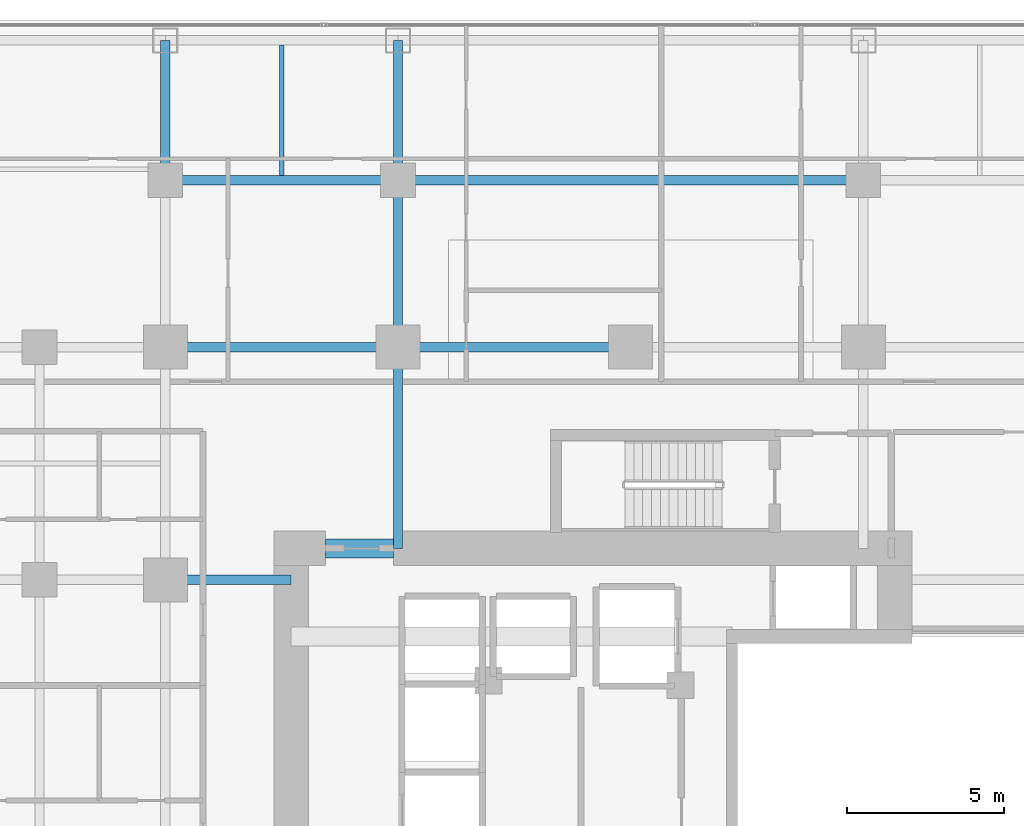
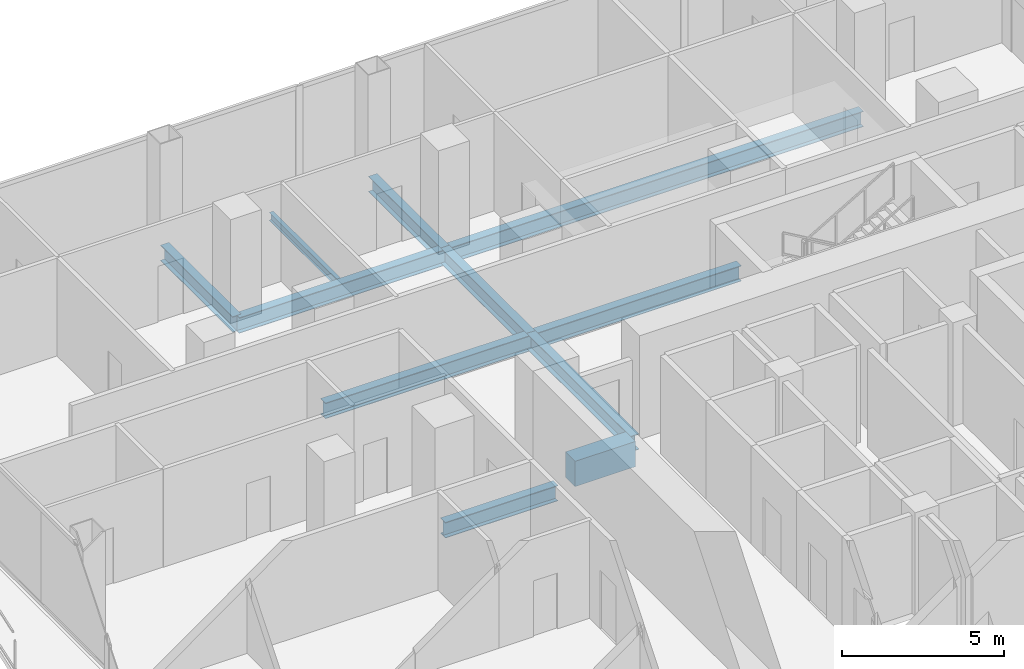
# One storey, part 14 of 29: 11 beams.
"""IFC4 building model written with IfcOpenShell, lengths in metres."""

import ifcopenshell
import ifcopenshell.guid

model = None  # the IFC model being written
_history = None  # IfcOwnerHistory: only IFC2X3 demands one
_inside = {}  # id of a spatial element -> (the spatial element, [elements in it])
_under = {}  # id of a project, library or spatial element -> (it, [spatial elements below it])
_declared = {}  # id of a project -> (the project, [libraries it declares])
_typed = {}  # id of a type object -> (the type object, [elements of that type])
_made_of = {}  # id of a material, layer set ... -> (it, [elements and type objects made of it])


def new_model(schema):
    """Start an empty IFC model of exactly this schema.

    Asked for "IFC4X3", IfcOpenShell would pick the latest addendum, in which some entities
    have other attributes; the version numbers below select the first issue.
    IFC2X3 requires an IfcOwnerHistory on every rooted entity: one is made here for all.
    """
    global model, _history
    if schema == "IFC4X3":
        model = ifcopenshell.file(schema_version=(4, 3, 0, 0))
    else:
        model = ifcopenshell.file(schema=schema)
    _inside.clear()
    _under.clear()
    _declared.clear()
    _typed.clear()
    _made_of.clear()
    _history = None
    if model.schema == "IFC2X3":
        org = make("IfcOrganization", Name="unknown")
        user = make(
            "IfcPersonAndOrganization",
            ThePerson=make("IfcPerson", FamilyName="unknown"),
            TheOrganization=org,
        )
        app = make(
            "IfcApplication",
            ApplicationDeveloper=org,
            Version="unknown",
            ApplicationFullName="unknown",
            ApplicationIdentifier="unknown",
        )
        _history = make(
            "IfcOwnerHistory",
            OwningUser=user,
            OwningApplication=app,
            ChangeAction="ADDED",
            CreationDate=0,
        )
    return model


def make(cls, **values):
    """One entity of the class cls with the attributes given. An attribute that is None is left unset."""
    return model.create_entity(
        cls, **{name: value for name, value in values.items() if value is not None}
    )


def rooted(cls, **values):
    """An entity with a GlobalId (a new one), such as an element, a storey or a relation."""
    return make(cls, GlobalId=ifcopenshell.guid.new(), OwnerHistory=_history, **values)


def si_unit(unit_type, name, prefix=None):
    """IfcSIUnit, for example si_unit("LENGTHUNIT", "METRE", prefix="MILLI")."""
    return make("IfcSIUnit", UnitType=unit_type, Prefix=prefix, Name=name)


def assignment(units):
    """IfcUnitAssignment: the units of a project."""
    return None if units is None else make("IfcUnitAssignment", Units=units)


def point(xyz):
    """IfcCartesianPoint."""
    return None if xyz is None else make("IfcCartesianPoint", Coordinates=xyz)


def direction(xyz):
    """IfcDirection."""
    return None if xyz is None else make("IfcDirection", DirectionRatios=xyz)


def frame(location, z_axis=None, x_axis=None):
    """IfcAxis2Placement3D, a coordinate frame: its origin and axes. An axis left out is left unset."""
    return make(
        "IfcAxis2Placement3D",
        Location=point(location),
        Axis=direction(z_axis),
        RefDirection=direction(x_axis),
    )


def frame_2d(location, x_axis=None):
    """IfcAxis2Placement2D, a coordinate frame in the plane: its origin and x axis."""
    return make(
        "IfcAxis2Placement2D", Location=point(location), RefDirection=direction(x_axis)
    )


def origin():
    """The frame at (0, 0, 0) with its axes left unset."""
    return frame((0.0, 0.0, 0.0))


def origin_2d():
    """The frame at (0, 0) in the plane with its x axis left unset."""
    return frame_2d((0.0, 0.0))


def place(relative_to, where):
    """IfcLocalPlacement: puts the frame where relative to a parent placement (None: the world)."""
    return make(
        "IfcLocalPlacement", PlacementRelTo=relative_to, RelativePlacement=where
    )


def context(
    kind, dimensions, precision=None, world=None, true_north=None, identifier=None
):
    """IfcGeometricRepresentationContext, for example the 3D "Model" context."""
    return make(
        "IfcGeometricRepresentationContext",
        ContextIdentifier=identifier,
        ContextType=kind,
        CoordinateSpaceDimension=dimensions,
        Precision=precision,
        WorldCoordinateSystem=world,
        TrueNorth=true_north,
    )


def subcontext(parent, identifier, kind, view, scale=None):
    """IfcGeometricRepresentationSubContext, for example "Body" below "Model"."""
    return make(
        "IfcGeometricRepresentationSubContext",
        ContextIdentifier=identifier,
        ContextType=kind,
        ParentContext=parent,
        TargetScale=scale,
        TargetView=view,
    )


def project(units=None, contexts=None):
    """IfcProject with its units and contexts."""
    return rooted(
        "IfcProject",
        Name="project",
        RepresentationContexts=contexts,
        UnitsInContext=assignment(units),
    )


def spatial(cls, under=None, at=None, **own):
    """A site, building, storey or space (cls), placed at a placement, below another one or the project."""
    s = rooted(cls, ObjectPlacement=at, **own)
    if under is not None:
        _under.setdefault(under.id(), (under, []))[1].append(s)
    return s


def profile(cls, at=None, kind="AREA", **sizes):
    """A parametric profile (cls). Its sizes go by their IFC names, for example OverallWidth=200.0."""
    return make(cls, ProfileType=kind, Position=at, **sizes)


def rectangle(**sizes):
    """IfcRectangleProfileDef."""
    return profile("IfcRectangleProfileDef", **sizes)


def i_section(**sizes):
    """IfcIShapeProfileDef."""
    return profile("IfcIShapeProfileDef", **sizes)


def extrude(swept, where, along, depth):
    """IfcExtrudedAreaSolid: the profile swept, set in the frame where, extruded along a direction by depth."""
    return make(
        "IfcExtrudedAreaSolid",
        SweptArea=swept,
        Position=where,
        ExtrudedDirection=direction(along),
        Depth=depth,
    )


def shape(context_of_items, identifier, shape_type, items):
    """IfcShapeRepresentation: the items that make up one representation, for example the "Body"."""
    return make(
        "IfcShapeRepresentation",
        ContextOfItems=context_of_items,
        RepresentationIdentifier=identifier,
        RepresentationType=shape_type,
        Items=items,
    )


def material(Name=None, Category=None):
    """IfcMaterial."""
    return make("IfcMaterial", Name=Name, Category=Category)


def material_profile(
    of_material, cross_section, Name=None, Category=None, Priority=None
):
    """IfcMaterialProfile: a cross section and its material."""
    return make(
        "IfcMaterialProfile",
        Name=Name,
        Material=of_material,
        Profile=cross_section,
        Priority=Priority,
        Category=Category,
    )


def profile_set(profiles, Name=None, composite=None):
    """IfcMaterialProfileSet."""
    return make(
        "IfcMaterialProfileSet",
        Name=Name,
        MaterialProfiles=profiles,
        CompositeProfile=composite,
    )


def made_of(thing, what):
    """Note that an element or type object is made of a material, layer set ...; save() writes the relation."""
    if what is not None:
        _made_of.setdefault(what.id(), (what, []))[1].append(thing)
    return thing


def type_object(cls, material=None, **own):
    """A type object (cls), such as IfcWallType, which elements share."""
    return made_of(rooted(cls, **own), material)


def element(
    cls,
    number,
    at=None,
    inside=None,
    cuts=None,
    type_object=None,
    material=None,
    context=None,
    identifier="Body",
    shape_type=None,
    held_by="IfcProductDefinitionShape",
    body=None,
    shapes=None,
    **own,
):
    """One element of the class cls, such as IfcWall. Its Tag is "e" and its number.

    at: its placement. inside: the storey or other place that contains it. cuts: it is an
    opening in that element (IfcRelVoidsElement). A single representation is given by context,
    identifier, shape_type and body (its items); several are given by shapes. held_by: the class
    of the entity that holds the representations. save() writes the other relations.
    """
    e = rooted(cls, Tag="e%d" % number, ObjectPlacement=at, **own)
    if body is not None:
        shapes = [shape(context, identifier, shape_type, body)]
    if shapes is not None:
        e.Representation = make(held_by, Representations=shapes)
    if inside is not None:
        _inside.setdefault(inside.id(), (inside, []))[1].append(e)
    if cuts is not None:
        rooted(
            "IfcRelVoidsElement", RelatingBuildingElement=cuts, RelatedOpeningElement=e
        )
    if type_object is not None:
        _typed.setdefault(type_object.id(), (type_object, []))[1].append(e)
    return made_of(e, material)


def aggregate(whole, parts):
    """IfcRelAggregates: a whole, such as a stair, and the parts it consists of."""
    return rooted("IfcRelAggregates", RelatingObject=whole, RelatedObjects=parts)


def save(model, path):
    """Write the relations noted so far, then the file.

    IfcRelAggregates (storeys below a building ...), IfcRelContainedInSpatialStructure (elements
    in a storey), IfcRelDefinesByType, IfcRelAssociatesMaterial and IfcRelDeclares: one each for
    every whole, place, type object, material and project.
    """
    for whole, parts in _under.values():
        aggregate(whole, parts)
    for where, things in _inside.values():
        rooted(
            "IfcRelContainedInSpatialStructure",
            RelatedElements=things,
            RelatingStructure=where,
        )
    for kind, things in _typed.values():
        rooted("IfcRelDefinesByType", RelatedObjects=things, RelatingType=kind)
    for what, things in _made_of.values():
        rooted("IfcRelAssociatesMaterial", RelatedObjects=things, RelatingMaterial=what)
    for by, libraries in _declared.values():
        rooted("IfcRelDeclares", RelatingContext=by, RelatedDefinitions=libraries)
    model.write(path)


model = new_model("IFC4")

# Units and contexts
model_context = context("Model", 3, precision=1e-05, world=origin(), true_north=direction((0.0, 1.0)))
body_context = subcontext(model_context, "Body", "Model", "MODEL_VIEW")
ifc_project = project(units=[si_unit("LENGTHUNIT", "METRE"), si_unit("AREAUNIT", "SQUARE_METRE"), si_unit("VOLUMEUNIT", "CUBIC_METRE"), si_unit("PLANEANGLEUNIT", "RADIAN"), si_unit("MASSUNIT", "GRAM", prefix="KILO")], contexts=[model_context])

# Site, building, storey
site_placement = place(None, origin())
site = spatial("IfcSite", under=ifc_project, at=site_placement, CompositionType="ELEMENT")
building_placement = place(site_placement, origin())
building = spatial("IfcBuilding", under=site, at=building_placement, Name="Khorvyn Point Tower", CompositionType="ELEMENT")
storey_placement = place(building_placement, frame((0.0, 0.0, 61.800048828125)))
storey = spatial("IfcBuildingStorey", under=building, at=storey_placement, Name="L16", CompositionType="ELEMENT", Elevation=61.800048828125)

# Beams
ifc_material_1 = material(Name="Concrete C50/60", Category="concrete")
ifc_material_profile_1 = material_profile(ifc_material_1, rectangle(XDim=0.60009765625, YDim=0.949951171875, at=origin_2d()))
ifc_profile_set_1 = profile_set([ifc_material_profile_1], Name="Concrete C50/60 RC600x950")
beam_type_1 = type_object("IfcBeamType", Name="Concrete C50/60 Beam RC600x950", PredefinedType="BEAM", material=ifc_profile_set_1)
beam_1_placement = place(storey_placement, frame((-9.699951171875, 8.39990234375, -0.695068359375), z_axis=(1.0, 0.0, 0.0), x_axis=(0.0, 1.0, 0.0)))
element("IfcBeam", 1, at=beam_1_placement, inside=storey, type_object=beam_type_1, Name="L16 Core Northwest Portal Coupling Beam", PredefinedType="BEAM", context=body_context, shape_type="SweptSolid", body=[
    extrude(rectangle(XDim=0.60009765625, YDim=0.949951171875, at=origin_2d()), origin(), (0.0, 0.0, 1.0), 2.14990234375),
])
ifc_material_2 = material(Name="Steel S355", Category="steel")
ifc_material_profile_2 = material_profile(ifc_material_2, i_section(OverallWidth=0.300048828125, OverallDepth=0.587890625, WebThickness=0.011962890625, FlangeThickness=0.02001953125, at=origin_2d()))
ifc_profile_set_2 = profile_set([ifc_material_profile_2], Name="Steel S355 H588x300x12x20")
beam_type_2 = type_object("IfcBeamType", Name="Steel S355 Beam H588x300x12x20", PredefinedType="BEAM", material=ifc_profile_set_2)
beam_2_placement = place(storey_placement, frame((-14.800048828125, 14.800048828125, -0.51416015625), z_axis=(1.0, 0.0, 0.0), x_axis=(0.0, 1.0, 0.0)))
element("IfcBeam", 2, at=beam_2_placement, inside=storey, type_object=beam_type_2, Name="Beam", PredefinedType="BEAM", context=body_context, shape_type="SweptSolid", body=[
    extrude(i_section(OverallWidth=0.300048828125, OverallDepth=0.587890625, WebThickness=0.011962890625, FlangeThickness=0.02001953125, at=origin_2d()), origin(), (0.0, 0.0, 1.0), 7.400146484375),
])
beam_3_placement = place(storey_placement, frame((-7.39990234375, 14.800048828125, -0.51416015625), z_axis=(1.0, 0.0, 0.0), x_axis=(0.0, 1.0, 0.0)))
element("IfcBeam", 3, at=beam_3_placement, inside=storey, type_object=beam_type_2, Name="Beam", PredefinedType="BEAM", context=body_context, shape_type="SweptSolid", body=[
    extrude(i_section(OverallWidth=0.300048828125, OverallDepth=0.587890625, WebThickness=0.011962890625, FlangeThickness=0.02001953125, at=origin_2d()), origin(), (0.0, 0.0, 1.0), 7.39990234375),
])
beam_4_placement = place(storey_placement, frame((-14.800048828125, 7.39990234375, -0.51416015625), z_axis=(1.0, 0.0, 0.0), x_axis=(0.0, 1.0, 0.0)))
element("IfcBeam", 4, at=beam_4_placement, inside=storey, type_object=beam_type_2, Name="Beam", PredefinedType="BEAM", context=body_context, shape_type="SweptSolid", body=[
    extrude(i_section(OverallWidth=0.300048828125, OverallDepth=0.587890625, WebThickness=0.011962890625, FlangeThickness=0.02001953125, at=origin_2d()), origin(), (0.0, 0.0, 1.0), 4.0),
])
beam_5_placement = place(storey_placement, frame((-14.800048828125, 20.10009765625, -0.51416015625), z_axis=(1.0, 0.0, 0.0), x_axis=(0.0, 1.0, 0.0)))
element("IfcBeam", 5, at=beam_5_placement, inside=storey, type_object=beam_type_2, Name="Beam", PredefinedType="BEAM", context=body_context, shape_type="SweptSolid", body=[
    extrude(i_section(OverallWidth=0.300048828125, OverallDepth=0.587890625, WebThickness=0.011962890625, FlangeThickness=0.02001953125, at=origin_2d()), origin(), (0.0, 0.0, 1.0), 7.400146484375),
])
beam_6_placement = place(storey_placement, frame((-7.39990234375, 20.10009765625, -0.51416015625), z_axis=(1.0, 0.0, 0.0), x_axis=(0.0, 1.0, 0.0)))
element("IfcBeam", 6, at=beam_6_placement, inside=storey, type_object=beam_type_2, Name="Beam", PredefinedType="BEAM", context=body_context, shape_type="SweptSolid", body=[
    extrude(i_section(OverallWidth=0.300048828125, OverallDepth=0.587890625, WebThickness=0.011962890625, FlangeThickness=0.02001953125, at=origin_2d()), origin(), (0.0, 0.0, 1.0), 14.7998046875),
])
beam_7_placement = place(storey_placement, frame((-14.800048828125, 20.10009765625, -0.51416015625), z_axis=(0.0, 1.0, 0.0), x_axis=(-1.0, 0.0, 0.0)))
element("IfcBeam", 7, at=beam_7_placement, inside=storey, type_object=beam_type_2, Name="Beam", PredefinedType="BEAM", context=body_context, shape_type="SweptSolid", body=[
    extrude(i_section(OverallWidth=0.300048828125, OverallDepth=0.587890625, WebThickness=0.011962890625, FlangeThickness=0.02001953125, at=origin_2d()), origin(), (0.0, 0.0, 1.0), 4.449951171875),
])
beam_8_placement = place(storey_placement, frame((-7.39990234375, 8.39990234375, -0.51416015625), z_axis=(0.0, 1.0, 0.0), x_axis=(-1.0, 0.0, 0.0)))
element("IfcBeam", 8, at=beam_8_placement, inside=storey, type_object=beam_type_2, Name="Beam", PredefinedType="BEAM", context=body_context, shape_type="SweptSolid", body=[
    extrude(i_section(OverallWidth=0.300048828125, OverallDepth=0.587890625, WebThickness=0.011962890625, FlangeThickness=0.02001953125, at=origin_2d()), origin(), (0.0, 0.0, 1.0), 6.400146484375),
])
beam_9_placement = place(storey_placement, frame((-7.39990234375, 14.800048828125, -0.51416015625), z_axis=(0.0, 1.0, 0.0), x_axis=(-1.0, 0.0, 0.0)))
element("IfcBeam", 9, at=beam_9_placement, inside=storey, type_object=beam_type_2, Name="Beam", PredefinedType="BEAM", context=body_context, shape_type="SweptSolid", body=[
    extrude(i_section(OverallWidth=0.300048828125, OverallDepth=0.587890625, WebThickness=0.011962890625, FlangeThickness=0.02001953125, at=origin_2d()), origin(), (0.0, 0.0, 1.0), 5.300048828125),
])
beam_10_placement = place(storey_placement, frame((-7.39990234375, 20.10009765625, -0.51416015625), z_axis=(0.0, 1.0, 0.0), x_axis=(-1.0, 0.0, 0.0)))
element("IfcBeam", 10, at=beam_10_placement, inside=storey, type_object=beam_type_2, Name="Beam", PredefinedType="BEAM", context=body_context, shape_type="SweptSolid", body=[
    extrude(i_section(OverallWidth=0.300048828125, OverallDepth=0.587890625, WebThickness=0.011962890625, FlangeThickness=0.02001953125, at=origin_2d()), origin(), (0.0, 0.0, 1.0), 4.449951171875),
])
ifc_material_profile_3 = material_profile(ifc_material_2, i_section(OverallWidth=0.14990234375, OverallDepth=0.300048828125, WebThickness=0.006591796875, FlangeThickness=0.009033203125, at=origin_2d()))
ifc_profile_set_3 = profile_set([ifc_material_profile_3], Name="Steel S355 H300x150x6.5x9")
beam_type_3 = type_object("IfcBeamType", Name="Steel S355 Joist H300x150x6.5x9", PredefinedType="JOIST", material=ifc_profile_set_3)
beam_11_placement = place(storey_placement, frame((-11.10009765625, 20.25, -0.3701171875), z_axis=(0.0, 1.0, 0.0), x_axis=(-1.0, 0.0, 0.0)))
element("IfcBeam", 11, at=beam_11_placement, inside=storey, type_object=beam_type_3, Name="Beam", PredefinedType="JOIST", context=body_context, shape_type="SweptSolid", body=[
    extrude(i_section(OverallWidth=0.14990234375, OverallDepth=0.300048828125, WebThickness=0.006591796875, FlangeThickness=0.009033203125, at=origin_2d()), origin(), (0.0, 0.0, 1.0), 4.14990234375),
])

save(model, "model.ifc")
